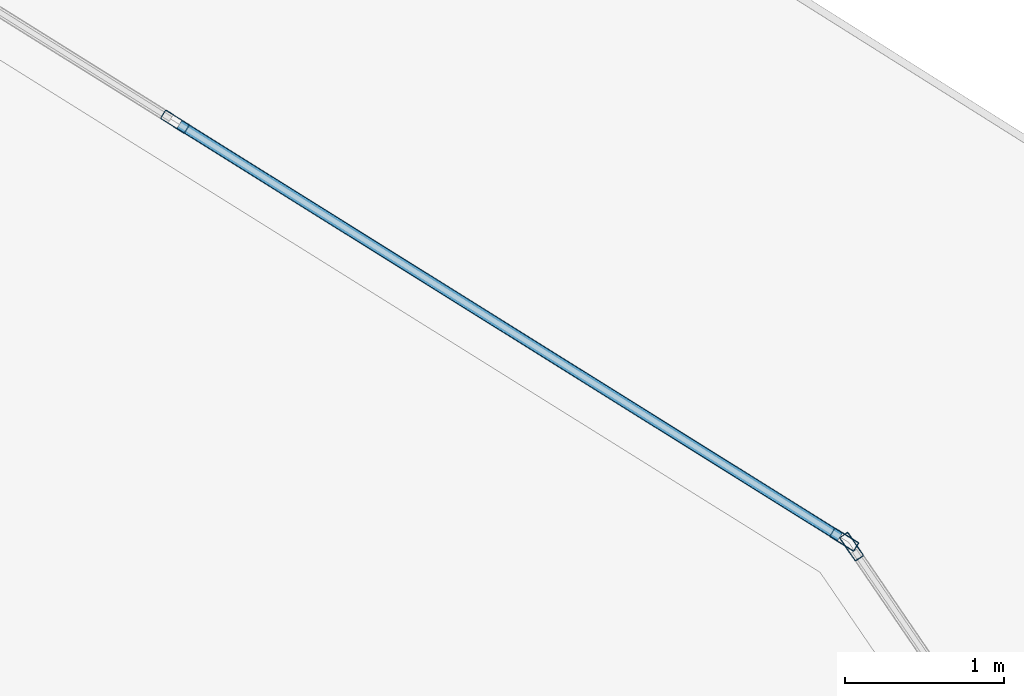
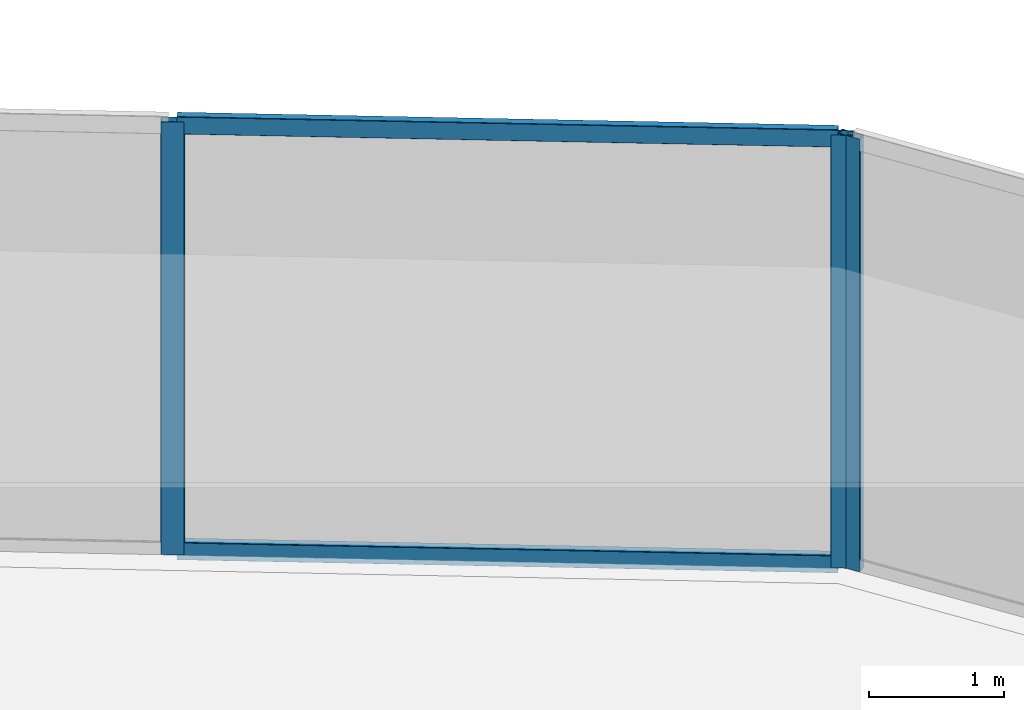
# One storey, part 22 of 44: 5 members, 2 elements without a shape of their own.
"""IFC4 building model written with IfcOpenShell, lengths in metres."""

from ifc_helpers import new_model, si_unit, direction, frame, origin, origin_2d, place, context, subcontext, project, spatial, hollow_rectangle, extrude, material, layer, layer_set, material_profile, profile_set, type_object, element, aggregate, save


model = new_model("IFC4")

# Units and contexts
model_context = context("Model", 3, precision=1e-05, world=origin(), true_north=direction((0.0, 1.0)))
body_context = subcontext(model_context, "Body", "Model", "MODEL_VIEW")
ifc_project = project(units=[si_unit("LENGTHUNIT", "METRE"), si_unit("AREAUNIT", "SQUARE_METRE"), si_unit("VOLUMEUNIT", "CUBIC_METRE"), si_unit("PLANEANGLEUNIT", "RADIAN"), si_unit("MASSUNIT", "GRAM", prefix="KILO")], contexts=[model_context])

# Site, building, storey
site_placement = place(None, origin())
site = spatial("IfcSite", under=ifc_project, at=site_placement, CompositionType="ELEMENT")
building_placement = place(site_placement, origin())
building = spatial("IfcBuilding", under=site, at=building_placement, Name="Qorvath Tower", CompositionType="ELEMENT")
storey_placement = place(building_placement, frame((0.0, 0.0, 40.800048828125)))
storey = spatial("IfcBuildingStorey", under=building, at=storey_placement, Name="L08", CompositionType="ELEMENT", Elevation=40.800048828125)

# Curtain wall, member
ifc_material_1 = material(Name="Anodised aluminium and triple low-E glass", Category="aluminium")
ifc_layer = layer(ifc_material_1, 0.179931640625)
ifc_layer_set = layer_set([ifc_layer], Name="CW-SYS-2")
curtain_wall_type = type_object("IfcCurtainWallType", Name="CW-SYS-2", PredefinedType="NOTDEFINED", material=ifc_layer_set)
curtain_wall_1_placement = place(storey_placement, origin())
curtain_wall_1 = element("IfcCurtainWall", 1, at=curtain_wall_1_placement, inside=storey, type_object=curtain_wall_type, Name="Curtain Wall CW-2 CW-T-L08-13.1", PredefinedType="NOTDEFINED")
ifc_material_2 = material(Name="Anodised aluminium 6063-T6", Category="aluminium")
ifc_material_profile_1 = material_profile(ifc_material_2, hollow_rectangle(XDim=0.06494140625, YDim=0.179931640625, WallThickness=0.00341796875, InnerFilletRadius=0.00341796875, OuterFilletRadius=0.007080078125, at=origin_2d()), Name="CWM 180x65")
ifc_profile_set_1 = profile_set([ifc_material_profile_1], Name="Anodised aluminium 6063-T6")
member_type_1 = type_object("IfcMemberType", Name="CWM-180", PredefinedType="MULLION", material=ifc_profile_set_1)
member_1_placement = place(storey_placement, frame((-1.5859375, 25.69384765625, 0.0), z_axis=(0.0, 0.0, 1.0), x_axis=(-0.825849008834, -0.563891314535, 0.0)))
member_1 = element("IfcMember", 2, at=member_1_placement, type_object=member_type_1, Name="CW-2 mullion 2", PredefinedType="MULLION", context=body_context, shape_type="SweptSolid", body=[
    extrude(hollow_rectangle(XDim=0.06494140625, YDim=0.179931640625, WallThickness=0.00341796875, InnerFilletRadius=0.00341796875, OuterFilletRadius=0.007080078125, at=origin_2d()), origin(), (0.0, 0.0, 1.0), 3.919921875),
])
aggregate(curtain_wall_1, [member_1])

# Curtain wall, members
curtain_wall_2_placement = place(storey_placement, origin())
curtain_wall_2 = element("IfcCurtainWall", 3, at=curtain_wall_2_placement, inside=storey, type_object=curtain_wall_type, Name="Curtain Wall CW-2 CW-T-L08-14.1", PredefinedType="NOTDEFINED")
member_2_placement = place(storey_placement, frame((-1.6318359375, 25.738037109375, 0.0), z_axis=(0.0, 0.0, 1.0), x_axis=(-0.529724040691, -0.848170054125, 0.0)))
member_2 = element("IfcMember", 4, at=member_2_placement, type_object=member_type_1, Name="CW-2 mullion 1", PredefinedType="MULLION", context=body_context, shape_type="SweptSolid", body=[
    extrude(hollow_rectangle(XDim=0.06494140625, YDim=0.179931640625, WallThickness=0.00341796875, InnerFilletRadius=0.00341796875, OuterFilletRadius=0.007080078125, at=origin_2d()), origin(), (0.0, 0.0, 1.0), 3.919921875),
])
member_3_placement = place(storey_placement, frame((-5.847900390625, 28.37109375, 0.0), z_axis=(0.0, 0.0, 1.0), x_axis=(-0.529724040691, -0.848170054125, 0.0)))
member_3 = element("IfcMember", 5, at=member_3_placement, type_object=member_type_1, Name="CW-2 mullion 2", PredefinedType="MULLION", context=body_context, shape_type="SweptSolid", body=[
    extrude(hollow_rectangle(XDim=0.06494140625, YDim=0.179931640625, WallThickness=0.00341796875, InnerFilletRadius=0.00341796875, OuterFilletRadius=0.007080078125, at=origin_2d()), origin(), (0.0, 0.0, 1.0), 3.919921875),
])
ifc_material_3 = material(Name="Anodised aluminium 6063-T6", Category="aluminium")
ifc_material_profile_2 = material_profile(ifc_material_3, hollow_rectangle(XDim=0.06494140625, YDim=0.159912109375, WallThickness=0.00341796875, InnerFilletRadius=0.00341796875, OuterFilletRadius=0.007080078125, at=origin_2d()), Name="CWT 160x65")
ifc_profile_set_2 = profile_set([ifc_material_profile_2], Name="Anodised aluminium 6063-T6")
member_type_2 = type_object("IfcMemberType", Name="CWT-160", PredefinedType="USERDEFINED", material=ifc_profile_set_2)
member_4_placement = place(storey_placement, frame((-1.659423828125, 25.755126953125, 0.032470703125), z_axis=(-0.848152037868, 0.529752886411, 0.0), x_axis=(-0.529752886411, -0.848152037868, 0.0)))
member_4 = element("IfcMember", 6, at=member_4_placement, type_object=member_type_2, Name="CW-2 transom 1.1", ObjectType="TRANSOM", PredefinedType="USERDEFINED", context=body_context, shape_type="SweptSolid", body=[
    extrude(hollow_rectangle(XDim=0.06494140625, YDim=0.159912109375, WallThickness=0.00341796875, InnerFilletRadius=0.00341796875, OuterFilletRadius=0.007080078125, at=origin_2d()), origin(), (0.0, 0.0, 1.0), 4.90576171875),
])
member_5_placement = place(storey_placement, frame((-1.659423828125, 25.755126953125, 3.887451171875), z_axis=(-0.848152037868, 0.529752886411, 0.0), x_axis=(-0.529752886411, -0.848152037868, 0.0)))
member_5 = element("IfcMember", 7, at=member_5_placement, type_object=member_type_2, Name="CW-2 transom 1.2", ObjectType="TRANSOM", PredefinedType="USERDEFINED", context=body_context, shape_type="SweptSolid", body=[
    extrude(hollow_rectangle(XDim=0.06494140625, YDim=0.159912109375, WallThickness=0.00341796875, InnerFilletRadius=0.00341796875, OuterFilletRadius=0.007080078125, at=origin_2d()), origin(), (0.0, 0.0, 1.0), 4.90576171875),
])
aggregate(curtain_wall_2, [member_2, member_3, member_4, member_5])

save(model, "model.ifc")
